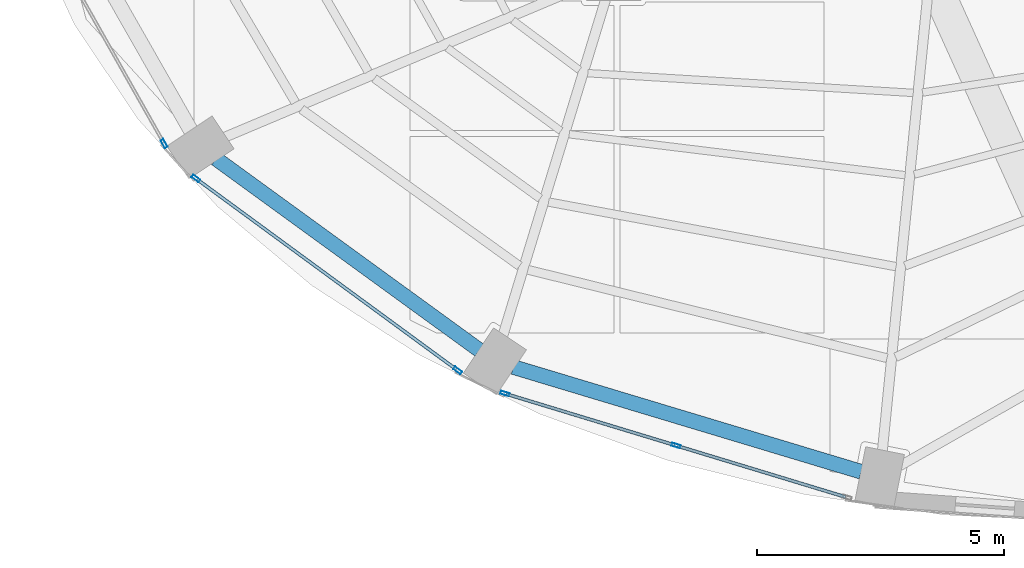
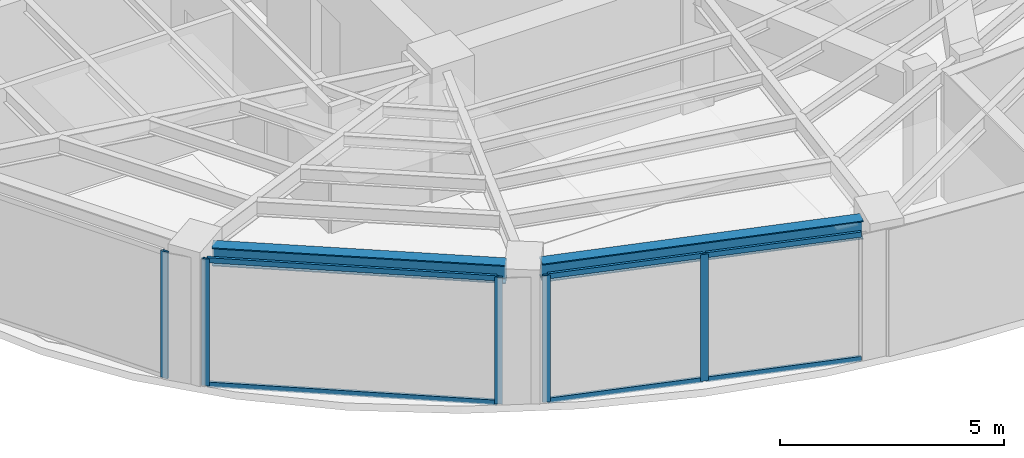
# One storey, part 2 of 23: 11 members, 2 beams, 3 elements without a shape of their own.
"""IFC4 building model written with IfcOpenShell, lengths in metres."""

from ifc_helpers import new_model, si_unit, direction, frame, origin, origin_2d, place, context, subcontext, project, spatial, hollow_rectangle, i_section, extrude, material, layer, layer_set, material_profile, profile_set, type_object, element, aggregate, save


model = new_model("IFC4")

# Units and contexts
model_context = context("Model", 3, precision=1e-05, world=origin(), true_north=direction((0.0, 1.0)))
body_context = subcontext(model_context, "Body", "Model", "MODEL_VIEW")
ifc_project = project(units=[si_unit("LENGTHUNIT", "METRE"), si_unit("AREAUNIT", "SQUARE_METRE"), si_unit("VOLUMEUNIT", "CUBIC_METRE"), si_unit("PLANEANGLEUNIT", "RADIAN"), si_unit("MASSUNIT", "GRAM", prefix="KILO")], contexts=[model_context])

# Site, building, storey
site_placement = place(None, origin())
site = spatial("IfcSite", under=ifc_project, at=site_placement, CompositionType="ELEMENT")
building_placement = place(site_placement, origin())
building = spatial("IfcBuilding", under=site, at=building_placement, Name="Lazwardi Medical Tower", CompositionType="ELEMENT")
storey_placement = place(building_placement, frame((0.0, 0.0, 202.1279296875)))
storey = spatial("IfcBuildingStorey", under=building, at=storey_placement, Name="L52", CompositionType="ELEMENT", Elevation=202.1279296875)

# Beams
ifc_material_1 = material(Name="Steel S355", Category="steel")
ifc_material_profile_1 = material_profile(ifc_material_1, i_section(OverallWidth=0.300048828125, OverallDepth=0.5, WebThickness=0.014404296875, FlangeThickness=0.028076171875, at=origin_2d()), Name="HEB 500")
ifc_profile_set_1 = profile_set([ifc_material_profile_1], Name="Steel S355")
beam_type = type_object("IfcBeamType", Name="BM-RB-Z4", PredefinedType="BEAM", material=ifc_profile_set_1)
beam_1_placement = place(storey_placement, frame((18.355712890625, 16.648193359375, 3.197998046875), z_axis=(0.808889916254, -0.587960120571, 0.0), x_axis=(0.587960120571, 0.808889916254, 0.0)))
element("IfcBeam", 1, at=beam_1_placement, inside=storey, type_object=beam_type, Name="Ring beam RB-05 B14 L52", PredefinedType="BEAM", context=body_context, shape_type="SweptSolid", body=[
    extrude(i_section(OverallWidth=0.300048828125, OverallDepth=0.5, WebThickness=0.014404296875, FlangeThickness=0.028076171875, at=origin_2d()), origin(), (0.0, 0.0, 1.0), 6.587158203125),
])
beam_2_placement = place(storey_placement, frame((24.373046875, 12.43359375, 3.197998046875), z_axis=(0.957544311906, -0.288286126506, 0.0), x_axis=(0.288286126506, 0.957544311906, 0.0)))
element("IfcBeam", 2, at=beam_2_placement, inside=storey, type_object=beam_type, Name="Ring beam RB-05 B15 L52", PredefinedType="BEAM", context=body_context, shape_type="SweptSolid", body=[
    extrude(i_section(OverallWidth=0.300048828125, OverallDepth=0.5, WebThickness=0.014404296875, FlangeThickness=0.028076171875, at=origin_2d()), origin(), (0.0, 0.0, 1.0), 7.3515625),
])

# Curtain wall, member
ifc_material_2 = material(Name="Anodised bronze aluminium and solar control glazing", Category="aluminium")
ifc_layer = layer(ifc_material_2, 0.18994140625)
ifc_layer_set = layer_set([ifc_layer], Name="Anodised bronze aluminium and solar control glazing")
curtain_wall_type = type_object("IfcCurtainWallType", Name="CW-SYS-04", PredefinedType="NOTDEFINED", material=ifc_layer_set)
curtain_wall_1_placement = place(storey_placement, origin())
curtain_wall_1 = element("IfcCurtainWall", 3, at=curtain_wall_1_placement, inside=storey, type_object=curtain_wall_type, Name="L52 Unitised bronze curtain wall CW-04", PredefinedType="NOTDEFINED")
ifc_material_3 = material(Name="Anodised bronze aluminium", Category="aluminium")
ifc_material_profile_2 = material_profile(ifc_material_3, hollow_rectangle(XDim=0.06494140625, YDim=0.179931640625, WallThickness=0.00390625, at=origin_2d()), Name="ALU-MULLION 180x65x4")
ifc_profile_set_2 = profile_set([ifc_material_profile_2], Name="Anodised bronze aluminium")
member_type_1 = type_object("IfcMemberType", Name="CW-MUL-03", PredefinedType="MULLION", material=ifc_profile_set_2)
member_1_placement = place(storey_placement, frame((17.3056640625, 16.95458984375, 0.0), z_axis=(0.0, 0.0, 1.0), x_axis=(0.870651436011, 0.491900474661, 0.0)))
member_1 = element("IfcMember", 4, at=member_1_placement, type_object=member_type_1, Name="CW-04 mullion 2", PredefinedType="MULLION", context=body_context, shape_type="SweptSolid", body=[
    extrude(hollow_rectangle(XDim=0.06494140625, YDim=0.179931640625, WallThickness=0.00390625, at=origin_2d()), origin(), (0.0, 0.0, 1.0), 3.447998046875),
])
aggregate(curtain_wall_1, [member_1])

# Curtain wall, members
curtain_wall_2_placement = place(storey_placement, origin())
curtain_wall_2 = element("IfcCurtainWall", 5, at=curtain_wall_2_placement, inside=storey, type_object=curtain_wall_type, Name="L52 Unitised bronze curtain wall CW-04", PredefinedType="NOTDEFINED")
member_2_placement = place(storey_placement, frame((17.947998046875, 16.248291015625, 0.0), z_axis=(0.0, 0.0, 1.0), x_axis=(0.591268230971, 0.806474971121, 0.0)))
member_2 = element("IfcMember", 6, at=member_2_placement, type_object=member_type_1, Name="CW-04 mullion 1", PredefinedType="MULLION", context=body_context, shape_type="SweptSolid", body=[
    extrude(hollow_rectangle(XDim=0.06494140625, YDim=0.179931640625, WallThickness=0.00390625, at=origin_2d()), origin(), (0.0, 0.0, 1.0), 3.447998046875),
])
member_3_placement = place(storey_placement, frame((23.24462890625, 12.365234375, 0.0), z_axis=(0.0, 0.0, 1.0), x_axis=(0.591268230971, 0.806474971121, 0.0)))
member_3 = element("IfcMember", 7, at=member_3_placement, type_object=member_type_1, Name="CW-04 mullion 2", PredefinedType="MULLION", context=body_context, shape_type="SweptSolid", body=[
    extrude(hollow_rectangle(XDim=0.06494140625, YDim=0.179931640625, WallThickness=0.00390625, at=origin_2d()), origin(), (0.0, 0.0, 1.0), 3.447998046875),
])

curtain_wall_3_placement = place(storey_placement, origin())
curtain_wall_3 = element("IfcCurtainWall", 8, at=curtain_wall_3_placement, inside=storey, type_object=curtain_wall_type, Name="L52 Unitised bronze curtain wall CW-04", PredefinedType="NOTDEFINED")
member_4_placement = place(storey_placement, frame((24.2001953125, 11.896484375, 0.0), z_axis=(0.0, 0.0, 1.0), x_axis=(0.290581889515, 0.956850126972, 0.0)))
member_4 = element("IfcMember", 9, at=member_4_placement, type_object=member_type_1, Name="CW-04 mullion 1", PredefinedType="MULLION", context=body_context, shape_type="SweptSolid", body=[
    extrude(hollow_rectangle(XDim=0.06494140625, YDim=0.179931640625, WallThickness=0.00390625, at=origin_2d()), origin(), (0.0, 0.0, 1.0), 3.447998046875),
])
member_5_placement = place(storey_placement, frame((27.66357421875, 10.8447265625, 0.0), z_axis=(0.0, 0.0, 1.0), x_axis=(0.290581889515, 0.956850126972, 0.0)))
member_5 = element("IfcMember", 10, at=member_5_placement, type_object=member_type_1, Name="CW-04 mullion 2", PredefinedType="MULLION", context=body_context, shape_type="SweptSolid", body=[
    extrude(hollow_rectangle(XDim=0.06494140625, YDim=0.179931640625, WallThickness=0.00390625, at=origin_2d()), origin(), (0.0, 0.0, 1.0), 3.447998046875),
])

# Member
ifc_material_profile_3 = material_profile(ifc_material_3, hollow_rectangle(XDim=0.06494140625, YDim=0.139892578125, WallThickness=0.00341796875, at=origin_2d()), Name="ALU-TRANSOM 140x65x3.5")
ifc_profile_set_3 = profile_set([ifc_material_profile_3], Name="Anodised bronze aluminium")
member_type_2 = type_object("IfcMemberType", Name="CW-TRN-03", PredefinedType="USERDEFINED", material=ifc_profile_set_3)
member_6_placement = place(storey_placement, frame((17.97412109375, 16.229248046875, 0.032470703125), z_axis=(0.806471831148, -0.591272513791, 0.0), x_axis=(0.591272513791, 0.806471831148, 0.0)))
member_6 = element("IfcMember", 11, at=member_6_placement, type_object=member_type_2, Name="CW-04 transom 1.1", ObjectType="TRANSOM", PredefinedType="USERDEFINED", context=body_context, shape_type="SweptSolid", body=[
    extrude(hollow_rectangle(XDim=0.06494140625, YDim=0.139892578125, WallThickness=0.00341796875, at=origin_2d()), origin(), (0.0, 0.0, 1.0), 6.5029296875),
])

member_7_placement = place(storey_placement, frame((17.97412109375, 16.229248046875, 3.41552734375), z_axis=(0.806471831148, -0.591272513791, 0.0), x_axis=(0.591272513791, 0.806471831148, 0.0)))
member_7 = element("IfcMember", 12, at=member_7_placement, type_object=member_type_2, Name="CW-04 transom 1.2", ObjectType="TRANSOM", PredefinedType="USERDEFINED", context=body_context, shape_type="SweptSolid", body=[
    extrude(hollow_rectangle(XDim=0.06494140625, YDim=0.139892578125, WallThickness=0.00341796875, at=origin_2d()), origin(), (0.0, 0.0, 1.0), 6.5029296875),
])

aggregate(curtain_wall_2, [member_2, member_3, member_6, member_7])

member_8_placement = place(storey_placement, frame((24.2314453125, 11.886962890625, 0.032470703125), z_axis=(0.956862505902, -0.290541124109, 0.0), x_axis=(0.290541124109, 0.956862505902, 0.0)))
member_8 = element("IfcMember", 13, at=member_8_placement, type_object=member_type_2, Name="CW-04 transom 1.1", ObjectType="TRANSOM", PredefinedType="USERDEFINED", context=body_context, shape_type="SweptSolid", body=[
    extrude(hollow_rectangle(XDim=0.06494140625, YDim=0.139892578125, WallThickness=0.00341796875, at=origin_2d()), origin(), (0.0, 0.0, 1.0), 3.554443359375),
])

member_9_placement = place(storey_placement, frame((24.2314453125, 11.886962890625, 3.41552734375), z_axis=(0.956862505902, -0.290541124109, 0.0), x_axis=(0.290541124109, 0.956862505902, 0.0)))
member_9 = element("IfcMember", 14, at=member_9_placement, type_object=member_type_2, Name="CW-04 transom 1.2", ObjectType="TRANSOM", PredefinedType="USERDEFINED", context=body_context, shape_type="SweptSolid", body=[
    extrude(hollow_rectangle(XDim=0.06494140625, YDim=0.139892578125, WallThickness=0.00341796875, at=origin_2d()), origin(), (0.0, 0.0, 1.0), 3.554443359375),
])

member_10_placement = place(storey_placement, frame((27.694580078125, 10.835205078125, 0.032470703125), z_axis=(0.956862505902, -0.290541124109, 0.0), x_axis=(0.290541124109, 0.956862505902, 0.0)))
member_10 = element("IfcMember", 15, at=member_10_placement, type_object=member_type_2, Name="CW-04 transom 2.1", ObjectType="TRANSOM", PredefinedType="USERDEFINED", context=body_context, shape_type="SweptSolid", body=[
    extrude(hollow_rectangle(XDim=0.06494140625, YDim=0.139892578125, WallThickness=0.00341796875, at=origin_2d()), origin(), (0.0, 0.0, 1.0), 3.554443359375),
])

member_11_placement = place(storey_placement, frame((27.694580078125, 10.835205078125, 3.41552734375), z_axis=(0.956862505902, -0.290541124109, 0.0), x_axis=(0.290541124109, 0.956862505902, 0.0)))
member_11 = element("IfcMember", 16, at=member_11_placement, type_object=member_type_2, Name="CW-04 transom 2.2", ObjectType="TRANSOM", PredefinedType="USERDEFINED", context=body_context, shape_type="SweptSolid", body=[
    extrude(hollow_rectangle(XDim=0.06494140625, YDim=0.139892578125, WallThickness=0.00341796875, at=origin_2d()), origin(), (0.0, 0.0, 1.0), 3.554443359375),
])

aggregate(curtain_wall_3, [member_4, member_5, member_8, member_9, member_10, member_11])

save(model, "model.ifc")
